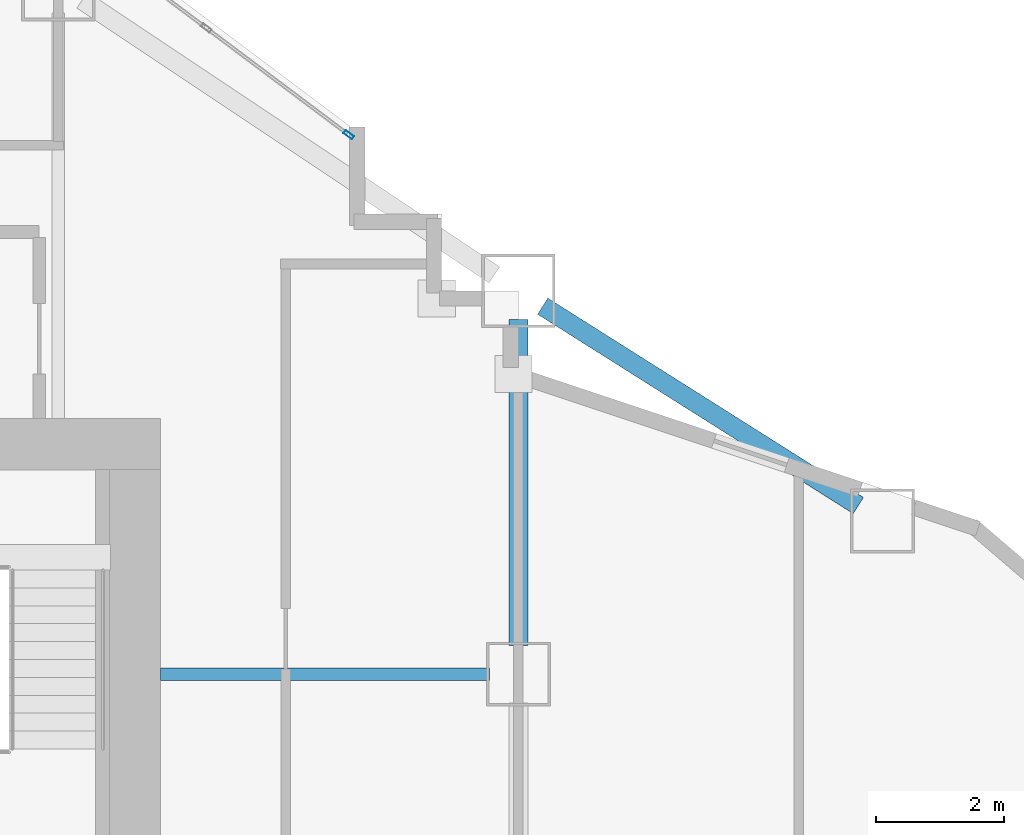
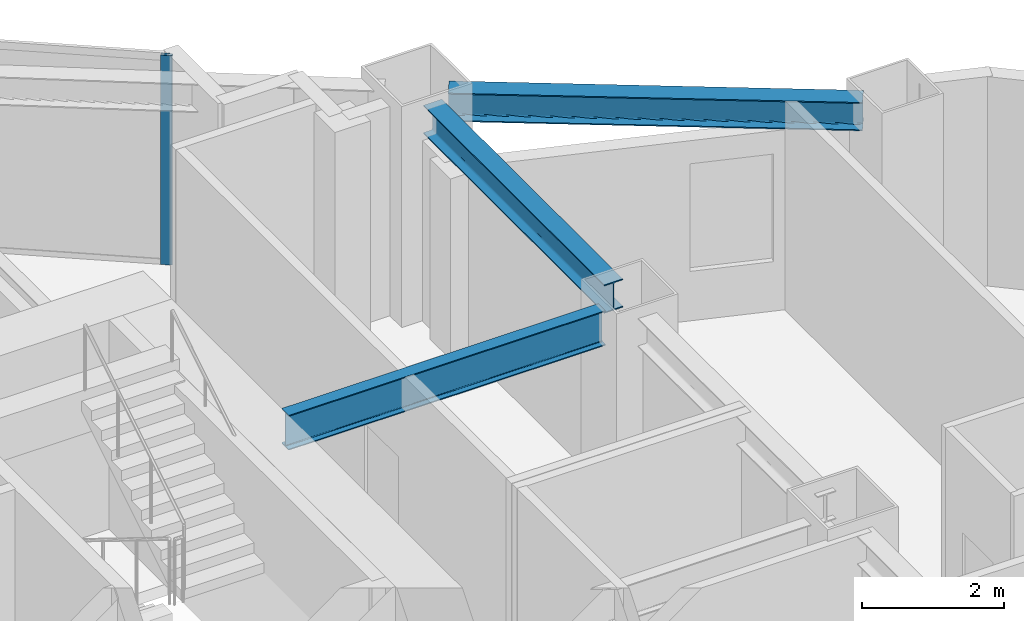
# One storey, part 4 of 17: 3 beams, 1 member, 1 element without a shape of its own.
"""IFC4 building model written with IfcOpenShell, lengths in metres."""

from ifc_helpers import new_model, si_unit, direction, frame, origin, origin_2d, place, context, subcontext, project, spatial, hollow_rectangle, i_section, extrude, material, layer, layer_set, material_profile, profile_set, type_object, element, aggregate, save


model = new_model("IFC4")

# Units and contexts
model_context = context("Model", 3, precision=1e-05, world=origin(), true_north=direction((0.0, 1.0)))
body_context = subcontext(model_context, "Body", "Model", "MODEL_VIEW")
ifc_project = project(units=[si_unit("LENGTHUNIT", "METRE"), si_unit("AREAUNIT", "SQUARE_METRE"), si_unit("VOLUMEUNIT", "CUBIC_METRE"), si_unit("PLANEANGLEUNIT", "RADIAN"), si_unit("MASSUNIT", "GRAM", prefix="KILO")], contexts=[model_context])

# Site, building, storey
site_placement = place(None, origin())
site = spatial("IfcSite", under=ifc_project, at=site_placement, CompositionType="ELEMENT")
building_placement = place(site_placement, origin())
building = spatial("IfcBuilding", under=site, at=building_placement, Name="Haolan Belvedere Tower", CompositionType="ELEMENT")
storey_placement = place(building_placement, frame((0.0, 0.0, 59.0)))
storey = spatial("IfcBuildingStorey", under=building, at=storey_placement, Name="L14", CompositionType="ELEMENT", Elevation=59.0)

# Beams
ifc_material_1 = material(Name="Steel Q355B", Category="steel")
ifc_material_profile_1 = material_profile(ifc_material_1, i_section(OverallWidth=0.300048828125, OverallDepth=0.488037109375, WebThickness=0.010986328125, FlangeThickness=0.01806640625, FilletRadius=0.02587890625, at=origin_2d()), Name="Steel Q355B")
ifc_profile_set_1 = profile_set([ifc_material_profile_1], Name="Steel Q355B")
beam_type_1 = type_object("IfcBeamType", Name="BM-HM488x300x11x18", PredefinedType="SPANDREL", material=ifc_profile_set_1)
beam_1_placement = place(storey_placement, frame((52.800048828125, 40.050048828125, 3.35595703125), z_axis=(0.0, 1.0, 0.0), x_axis=(-1.0, 0.0, 0.0)))
element("IfcBeam", 1, at=beam_1_placement, inside=storey, type_object=beam_type_1, Name="L14 spandrel girder TC-T3-E2-MC-T3-NE", PredefinedType="SPANDREL", context=body_context, shape_type="SweptSolid", body=[
    extrude(i_section(OverallWidth=0.300048828125, OverallDepth=0.488037109375, WebThickness=0.010986328125, FlangeThickness=0.01806640625, FilletRadius=0.02587890625, at=origin_2d()), origin(), (0.0, 0.0, 1.0), 5.099853515625),
])
beam_2_placement = place(storey_placement, frame((53.180419921875, 45.359619140625, 3.35595703125), z_axis=(0.845497840649, -0.533978839898, 0.0), x_axis=(0.533978839898, 0.845497840649, 0.0)))
element("IfcBeam", 2, at=beam_2_placement, inside=storey, type_object=beam_type_1, Name="L14 spandrel girder MC-T3-NE-TC-T4-N1", PredefinedType="SPANDREL", context=body_context, shape_type="SweptSolid", body=[
    extrude(i_section(OverallWidth=0.300048828125, OverallDepth=0.488037109375, WebThickness=0.010986328125, FlangeThickness=0.01806640625, FilletRadius=0.02587890625, at=origin_2d()), origin(), (0.0, 0.0, 1.0), 5.841796875),
])
ifc_material_profile_2 = material_profile(ifc_material_1, i_section(OverallWidth=0.199951171875, OverallDepth=0.60009765625, WebThickness=0.010986328125, FlangeThickness=0.01708984375, FilletRadius=0.02197265625, at=origin_2d()), Name="Steel Q355B")
ifc_profile_set_2 = profile_set([ifc_material_profile_2], Name="Steel Q355B")
beam_type_2 = type_object("IfcBeamType", Name="BM-HN600x200x11x17", PredefinedType="BEAM", material=ifc_profile_set_2)
beam_3_placement = place(storey_placement, frame((52.35009765625, 39.60009765625, 3.300048828125), z_axis=(-1.0, 0.0, 0.0), x_axis=(0.0, -1.0, 0.0)))
element("IfcBeam", 3, at=beam_3_placement, inside=storey, type_object=beam_type_2, Name="L14 core tie beam from TC-T3-E2", PredefinedType="BEAM", context=body_context, shape_type="SweptSolid", body=[
    extrude(i_section(OverallWidth=0.199951171875, OverallDepth=0.60009765625, WebThickness=0.010986328125, FlangeThickness=0.01708984375, FilletRadius=0.02197265625, at=origin_2d()), origin(), (0.0, 0.0, 1.0), 5.150146484375),
])

# Curtain wall, member
ifc_material_2 = material(Name="Anodised champagne-silver aluminium 6063-T6 and Low-E glass", Category="aluminium")
ifc_layer = layer(ifc_material_2, 0.1650390625, Name="Anodised champagne-silver aluminium 6063-T6 and Low-E glass")
ifc_layer_set = layer_set([ifc_layer], Name="Anodised champagne-silver aluminium 6063-T6 and Low-E glass")
curtain_wall_type = type_object("IfcCurtainWallType", Name="CW-SYS-02", PredefinedType="NOTDEFINED", material=ifc_layer_set)
curtain_wall_placement = place(storey_placement, origin())
curtain_wall = element("IfcCurtainWall", 4, at=curtain_wall_placement, inside=storey, type_object=curtain_wall_type, Name="L14 CW-SYS-02 ribbon curtain wall 41.1", PredefinedType="NOTDEFINED")
ifc_material_3 = material(Name="Anodised aluminium 6063-T6", Category="aluminium")
ifc_material_profile_3 = material_profile(ifc_material_3, hollow_rectangle(XDim=0.06005859375, YDim=0.1650390625, WallThickness=0.00390625, at=origin_2d()), Name="Anodised aluminium 6063-T6")
ifc_profile_set_3 = profile_set([ifc_material_profile_3], Name="Anodised aluminium 6063-T6")
member_type = type_object("IfcMemberType", Name="CW-SYS-02-MUL", PredefinedType="MULLION", material=ifc_profile_set_3)
member_placement = place(storey_placement, frame((50.14404296875, 48.0419921875, 0.0), z_axis=(0.0, 0.0, 1.0), x_axis=(-0.599994316874, -0.800004262313, 0.0)))
member = element("IfcMember", 5, at=member_placement, type_object=member_type, Name="CW-02 mullion 1", PredefinedType="MULLION", context=body_context, shape_type="SweptSolid", body=[
    extrude(hollow_rectangle(XDim=0.06005859375, YDim=0.1650390625, WallThickness=0.00390625, at=origin_2d()), origin(), (0.0, 0.0, 1.0), 3.60009765625),
])
aggregate(curtain_wall, [member])

save(model, "model.ifc")
